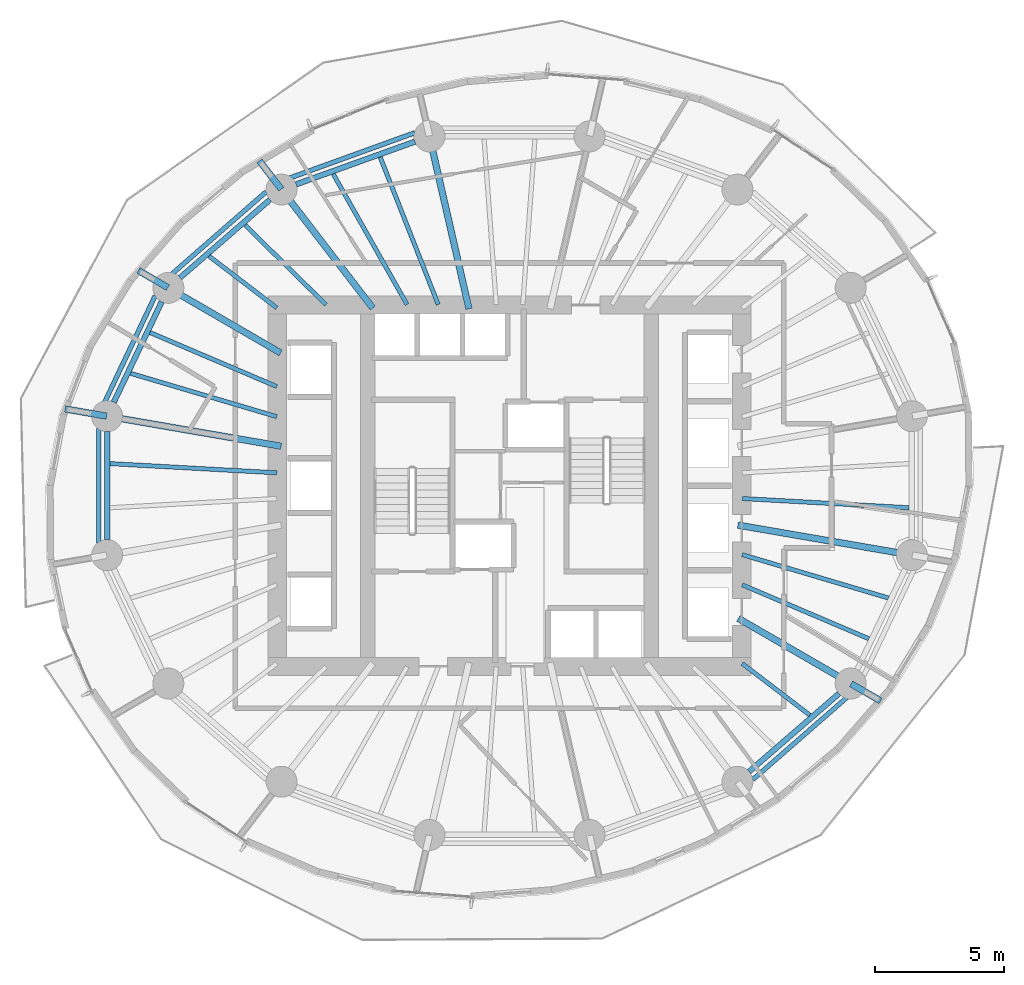
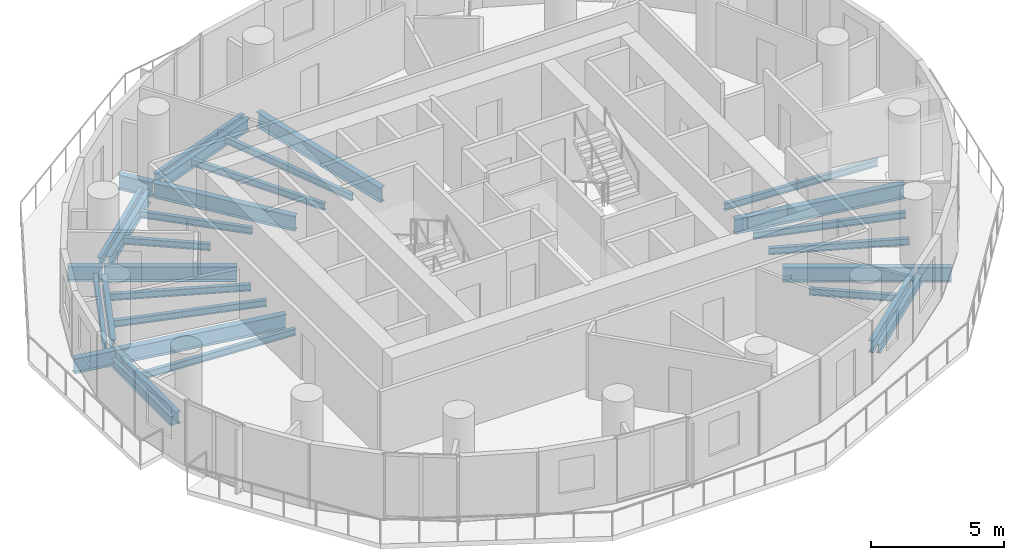
# One storey, part 3 of 14: 31 beams.
"""IFC4 building model written with IfcOpenShell, lengths in metres."""

from ifc_helpers import new_model, si_unit, direction, frame, origin, origin_2d, place, context, subcontext, project, spatial, i_section, extrude, material, material_profile, profile_set, type_object, element, save


model = new_model("IFC4")

# Units and contexts
model_context = context("Model", 3, precision=1e-05, world=origin(), true_north=direction((0.0, 1.0)))
body_context = subcontext(model_context, "Body", "Model", "MODEL_VIEW")
ifc_project = project(units=[si_unit("LENGTHUNIT", "METRE"), si_unit("AREAUNIT", "SQUARE_METRE"), si_unit("VOLUMEUNIT", "CUBIC_METRE"), si_unit("PLANEANGLEUNIT", "RADIAN"), si_unit("MASSUNIT", "GRAM", prefix="KILO")], contexts=[model_context])

# Site, building, storey
site_placement = place(None, origin())
site = spatial("IfcSite", under=ifc_project, at=site_placement, CompositionType="ELEMENT")
building_placement = place(site_placement, origin())
building = spatial("IfcBuilding", under=site, at=building_placement, Name="Veldorim Arch Residences", CompositionType="ELEMENT")
storey_placement = place(building_placement, frame((0.0, 0.0, 77.280029296875)))
storey = spatial("IfcBuildingStorey", under=building, at=storey_placement, Name="L22", CompositionType="ELEMENT", Elevation=77.280029296875)

# Beams
ifc_material_1 = material(Name="Steel S355", Category="steel")
ifc_material_profile_1 = material_profile(ifc_material_1, i_section(OverallWidth=0.2119140625, OverallDepth=0.54443359375, WebThickness=0.0126953125, FlangeThickness=0.021240234375, at=origin_2d()), Name="UB533x210x122")
ifc_profile_set_1 = profile_set([ifc_material_profile_1], Name="Steel S355")
beam_type_1 = type_object("IfcBeamType", Name="Structural Steel Beam UB533x210x122", PredefinedType="BEAM", material=ifc_profile_set_1)
beam_1_placement = place(storey_placement, frame((28.33349609375, 37.331787109375, -0.51220703125), z_axis=(-0.941041944493, -0.338289903343, 0.0), x_axis=(0.338289903343, -0.941041944493, 0.0)))
element("IfcBeam", 1, at=beam_1_placement, inside=storey, type_object=beam_type_1, Name="L22 perimeter ring tie beam 05", PredefinedType="BEAM", context=body_context, shape_type="SweptSolid", body=[
    extrude(i_section(OverallWidth=0.2119140625, OverallDepth=0.54443359375, WebThickness=0.0126953125, FlangeThickness=0.021240234375, at=origin_2d()), origin(), (0.0, 0.0, 1.0), 4.890869140625),
])
beam_2_placement = place(storey_placement, frame((22.71337890625, 35.0810546875, -0.51220703125), z_axis=(-0.755244952556, -0.655442645576, 0.0), x_axis=(0.655442645576, -0.755244952556, 0.0)))
element("IfcBeam", 2, at=beam_2_placement, inside=storey, type_object=beam_type_1, Name="L22 perimeter ring tie beam 06", PredefinedType="BEAM", context=body_context, shape_type="SweptSolid", body=[
    extrude(i_section(OverallWidth=0.2119140625, OverallDepth=0.54443359375, WebThickness=0.0126953125, FlangeThickness=0.021240234375, at=origin_2d()), origin(), (0.0, 0.0, 1.0), 4.608642578125),
])
beam_3_placement = place(storey_placement, frame((18.521240234375, 31.12548828125, -0.51220703125), z_axis=(-0.430720154476, -0.902485539235, 0.0), x_axis=(0.902485539235, -0.430720154476, 0.0)))
element("IfcBeam", 3, at=beam_3_placement, inside=storey, type_object=beam_type_1, Name="L22 perimeter ring tie beam 07", PredefinedType="BEAM", context=body_context, shape_type="SweptSolid", body=[
    extrude(i_section(OverallWidth=0.2119140625, OverallDepth=0.54443359375, WebThickness=0.0126953125, FlangeThickness=0.021240234375, at=origin_2d()), origin(), (0.0, 0.0, 1.0), 4.312255859375),
])
beam_4_placement = place(storey_placement, frame((16.405517578125, 26.09228515625, -0.51220703125), z_axis=(0.0, -1.0, 0.0), x_axis=(1.0, 0.0, 0.0)))
element("IfcBeam", 4, at=beam_4_placement, inside=storey, type_object=beam_type_1, Name="L22 perimeter ring tie beam 08", PredefinedType="BEAM", context=body_context, shape_type="SweptSolid", body=[
    extrude(i_section(OverallWidth=0.2119140625, OverallDepth=0.54443359375, WebThickness=0.0126953125, FlangeThickness=0.021240234375, at=origin_2d()), origin(), (0.0, 0.0, 1.0), 4.1845703125),
])
beam_5_placement = place(storey_placement, frame((41.28662109375, 12.9189453125, -0.51220703125), z_axis=(0.755244952556, 0.655442645576, 0.0), x_axis=(-0.655442645576, 0.755244952556, 0.0)))
element("IfcBeam", 5, at=beam_5_placement, inside=storey, type_object=beam_type_1, Name="L22 perimeter ring tie beam 14", PredefinedType="BEAM", context=body_context, shape_type="SweptSolid", body=[
    extrude(i_section(OverallWidth=0.2119140625, OverallDepth=0.54443359375, WebThickness=0.0126953125, FlangeThickness=0.021240234375, at=origin_2d()), origin(), (0.0, 0.0, 1.0), 4.608642578125),
])
ifc_material_2 = material(Name="Steel S355", Category="steel")
ifc_material_profile_2 = material_profile(ifc_material_2, i_section(OverallWidth=0.25439453125, OverallDepth=0.6875, WebThickness=0.01318359375, FlangeThickness=0.02099609375, at=origin_2d()), Name="UB686x254x152")
ifc_profile_set_2 = profile_set([ifc_material_profile_2], Name="Steel S355")
beam_type_2 = type_object("IfcBeamType", Name="Structural Steel GIRDER UB686x254x152", PredefinedType="USERDEFINED", material=ifc_profile_set_2)
beam_6_placement = place(storey_placement, frame((30.42919921875, 30.853759765625, -0.583740234375), z_axis=(-0.223374742148, 0.97473264261, 0.0), x_axis=(-0.97473264261, -0.223374742148, 0.0)))
element("IfcBeam", 6, at=beam_6_placement, inside=storey, type_object=beam_type_2, Name="L22 radial floor girder 05", ObjectType="GIRDER", PredefinedType="USERDEFINED", context=body_context, shape_type="SweptSolid", body=[
    extrude(i_section(OverallWidth=0.25439453125, OverallDepth=0.6875, WebThickness=0.01318359375, FlangeThickness=0.02099609375, at=origin_2d()), origin(), (0.0, 0.0, 1.0), 6.834228515625),
])
beam_7_placement = place(storey_placement, frame((26.702392578125, 30.881103515625, -0.583740234375), z_axis=(-0.609994628196, 0.792405548676, 0.0), x_axis=(-0.792405548676, -0.609994628196, 0.0)))
element("IfcBeam", 7, at=beam_7_placement, inside=storey, type_object=beam_type_2, Name="L22 radial floor girder 06", ObjectType="GIRDER", PredefinedType="USERDEFINED", context=body_context, shape_type="SweptSolid", body=[
    extrude(i_section(OverallWidth=0.25439453125, OverallDepth=0.6875, WebThickness=0.01318359375, FlangeThickness=0.02099609375, at=origin_2d()), origin(), (0.0, 0.0, 1.0), 5.776611328125),
])
beam_8_placement = place(storey_placement, frame((23.154296875, 35.489990234375, -0.583740234375), z_axis=(-0.609991800873, 0.792407725144, 0.0), x_axis=(-0.792407725144, -0.609991800873, 0.0)))
element("IfcBeam", 8, at=beam_8_placement, inside=storey, type_object=beam_type_2, Name="L22 radial edge cantilever girder 06", ObjectType="GIRDER", PredefinedType="USERDEFINED", context=body_context, shape_type="SweptSolid", body=[
    extrude(i_section(OverallWidth=0.25439453125, OverallDepth=0.6875, WebThickness=0.01318359375, FlangeThickness=0.02099609375, at=origin_2d()), origin(), (0.0, 0.0, 1.0), 1.38525390625),
])
beam_9_placement = place(storey_placement, frame((23.1298828125, 29.14404296875, -0.583740234375), z_axis=(-0.865048957682, 0.501687453314, 0.0), x_axis=(-0.501687453314, -0.865048957682, 0.0)))
element("IfcBeam", 9, at=beam_9_placement, inside=storey, type_object=beam_type_2, Name="L22 radial floor girder 07", ObjectType="GIRDER", PredefinedType="USERDEFINED", context=body_context, shape_type="SweptSolid", body=[
    extrude(i_section(OverallWidth=0.25439453125, OverallDepth=0.6875, WebThickness=0.01318359375, FlangeThickness=0.02099609375, at=origin_2d()), origin(), (0.0, 0.0, 1.0), 5.009033203125),
])
beam_10_placement = place(storey_placement, frame((18.76220703125, 31.677001953125, -0.583740234375), z_axis=(-0.865076091599, 0.501640663966, 0.0), x_axis=(-0.501640663966, -0.865076091599, 0.0)))
element("IfcBeam", 10, at=beam_10_placement, inside=storey, type_object=beam_type_2, Name="L22 radial edge cantilever girder 07", ObjectType="GIRDER", PredefinedType="USERDEFINED", context=body_context, shape_type="SweptSolid", body=[
    extrude(i_section(OverallWidth=0.25439453125, OverallDepth=0.6875, WebThickness=0.01318359375, FlangeThickness=0.02099609375, at=origin_2d()), origin(), (0.0, 0.0, 1.0), 1.3212890625),
])
beam_11_placement = place(storey_placement, frame((23.147705078125, 25.5283203125, -0.583740234375), z_axis=(-0.985426622718, 0.17010106184, 0.0), x_axis=(-0.17010106184, -0.985426622718, 0.0)))
element("IfcBeam", 11, at=beam_11_placement, inside=storey, type_object=beam_type_2, Name="L22 radial floor girder 08", ObjectType="GIRDER", PredefinedType="USERDEFINED", context=body_context, shape_type="SweptSolid", body=[
    extrude(i_section(OverallWidth=0.25439453125, OverallDepth=0.6875, WebThickness=0.01318359375, FlangeThickness=0.02099609375, at=origin_2d()), origin(), (0.0, 0.0, 1.0), 6.82177734375),
])
beam_12_placement = place(storey_placement, frame((16.3857421875, 26.695556640625, -0.583740234375), z_axis=(-0.985419516266, 0.170142225688, 0.0), x_axis=(-0.170142225688, -0.985419516266, 0.0)))
element("IfcBeam", 12, at=beam_12_placement, inside=storey, type_object=beam_type_2, Name="L22 radial edge cantilever girder 08", ObjectType="GIRDER", PredefinedType="USERDEFINED", context=body_context, shape_type="SweptSolid", body=[
    extrude(i_section(OverallWidth=0.25439453125, OverallDepth=0.6875, WebThickness=0.01318359375, FlangeThickness=0.02099609375, at=origin_2d()), origin(), (0.0, 0.0, 1.0), 1.633056640625),
])
beam_13_placement = place(storey_placement, frame((40.8701171875, 18.85595703125, -0.583740234375), z_axis=(0.865048957682, -0.501687453314, 0.0), x_axis=(0.501687453314, 0.865048957682, 0.0)))
element("IfcBeam", 13, at=beam_13_placement, inside=storey, type_object=beam_type_2, Name="L22 radial floor girder 15", ObjectType="GIRDER", PredefinedType="USERDEFINED", context=body_context, shape_type="SweptSolid", body=[
    extrude(i_section(OverallWidth=0.25439453125, OverallDepth=0.6875, WebThickness=0.01318359375, FlangeThickness=0.02099609375, at=origin_2d()), origin(), (0.0, 0.0, 1.0), 5.009033203125),
])
beam_14_placement = place(storey_placement, frame((45.23779296875, 16.322998046875, -0.583740234375), z_axis=(0.865076091599, -0.501640663966, 0.0), x_axis=(0.501640663966, 0.865076091599, 0.0)))
element("IfcBeam", 14, at=beam_14_placement, inside=storey, type_object=beam_type_2, Name="L22 radial edge cantilever girder 15", ObjectType="GIRDER", PredefinedType="USERDEFINED", context=body_context, shape_type="SweptSolid", body=[
    extrude(i_section(OverallWidth=0.25439453125, OverallDepth=0.6875, WebThickness=0.01318359375, FlangeThickness=0.02099609375, at=origin_2d()), origin(), (0.0, 0.0, 1.0), 1.3212890625),
])
beam_15_placement = place(storey_placement, frame((40.852294921875, 22.4716796875, -0.583740234375), z_axis=(0.985426622718, -0.17010106184, 0.0), x_axis=(0.17010106184, 0.985426622718, 0.0)))
element("IfcBeam", 15, at=beam_15_placement, inside=storey, type_object=beam_type_2, Name="L22 radial floor girder 16", ObjectType="GIRDER", PredefinedType="USERDEFINED", context=body_context, shape_type="SweptSolid", body=[
    extrude(i_section(OverallWidth=0.25439453125, OverallDepth=0.6875, WebThickness=0.01318359375, FlangeThickness=0.02099609375, at=origin_2d()), origin(), (0.0, 0.0, 1.0), 6.82177734375),
])
ifc_material_3 = material(Name="Steel S355", Category="steel")
ifc_material_profile_3 = material_profile(ifc_material_3, i_section(OverallWidth=0.165771484375, OverallDepth=0.306640625, WebThickness=0.006591796875, FlangeThickness=0.01171875, at=origin_2d()), Name="UB305x165x46")
ifc_profile_set_3 = profile_set([ifc_material_profile_3], Name="Steel S355")
beam_type_3 = type_object("IfcBeamType", Name="Structural Steel Joist UB305x165x46", PredefinedType="JOIST", material=ifc_profile_set_3)
beam_16_placement = place(storey_placement, frame((29.238037109375, 31.0185546875, -0.393310546875), z_axis=(-0.366194870364, 0.930538186707, 0.0), x_axis=(-0.930538186707, -0.366194870364, 0.0)))
element("IfcBeam", 16, at=beam_16_placement, inside=storey, type_object=beam_type_3, Name="L22 secondary radial floor joist 05-1", PredefinedType="JOIST", context=body_context, shape_type="SweptSolid", body=[
    extrude(i_section(OverallWidth=0.165771484375, OverallDepth=0.306640625, WebThickness=0.006591796875, FlangeThickness=0.01171875, at=origin_2d()), origin(), (0.0, 0.0, 1.0), 6.1396484375),
])
beam_17_placement = place(storey_placement, frame((28.03173828125, 31.017333984375, -0.393310546875), z_axis=(-0.492227411199, 0.870466642476, 0.0), x_axis=(-0.870466642476, -0.492227411199, 0.0)))
element("IfcBeam", 17, at=beam_17_placement, inside=storey, type_object=beam_type_3, Name="L22 secondary radial floor joist 05-2", PredefinedType="JOIST", context=body_context, shape_type="SweptSolid", body=[
    extrude(i_section(OverallWidth=0.165771484375, OverallDepth=0.306640625, WebThickness=0.006591796875, FlangeThickness=0.01171875, at=origin_2d()), origin(), (0.0, 0.0, 1.0), 5.81494140625),
])
beam_18_placement = place(storey_placement, frame((24.885986328125, 31.013916015625, -0.393310546875), z_axis=(-0.712111629941, 0.702066255066, 0.0), x_axis=(-0.702066255066, -0.712111629941, 0.0)))
element("IfcBeam", 18, at=beam_18_placement, inside=storey, type_object=beam_type_3, Name="L22 secondary radial floor joist 06-1", PredefinedType="JOIST", context=body_context, shape_type="SweptSolid", body=[
    extrude(i_section(OverallWidth=0.165771484375, OverallDepth=0.306640625, WebThickness=0.006591796875, FlangeThickness=0.01171875, at=origin_2d()), origin(), (0.0, 0.0, 1.0), 4.39892578125),
])
beam_19_placement = place(storey_placement, frame((22.984130859375, 30.888427734375, -0.393310546875), z_axis=(-0.794594763594, 0.60714014994, 0.0), x_axis=(-0.60714014994, -0.794594763594, 0.0)))
element("IfcBeam", 19, at=beam_19_placement, inside=storey, type_object=beam_type_3, Name="L22 secondary radial floor joist 06-2", PredefinedType="JOIST", context=body_context, shape_type="SweptSolid", body=[
    extrude(i_section(OverallWidth=0.165771484375, OverallDepth=0.306640625, WebThickness=0.006591796875, FlangeThickness=0.01171875, at=origin_2d()), origin(), (0.0, 0.0, 1.0), 3.30419921875),
])
beam_20_placement = place(storey_placement, frame((22.981689453125, 27.841552734375, -0.393310546875), z_axis=(-0.919997395122, 0.391924473552, 0.0), x_axis=(-0.391924473552, -0.919997395122, 0.0)))
element("IfcBeam", 20, at=beam_20_placement, inside=storey, type_object=beam_type_3, Name="L22 secondary radial floor joist 07-1", PredefinedType="JOIST", context=body_context, shape_type="SweptSolid", body=[
    extrude(i_section(OverallWidth=0.165771484375, OverallDepth=0.306640625, WebThickness=0.006591796875, FlangeThickness=0.01171875, at=origin_2d()), origin(), (0.0, 0.0, 1.0), 5.334716796875),
])
beam_21_placement = place(storey_placement, frame((22.980712890625, 26.673583984375, -0.393310546875), z_axis=(-0.958753061488, 0.284240333324, 0.0), x_axis=(-0.284240333324, -0.958753061488, 0.0)))
element("IfcBeam", 21, at=beam_21_placement, inside=storey, type_object=beam_type_3, Name="L22 secondary radial floor joist 07-2", PredefinedType="JOIST", context=body_context, shape_type="SweptSolid", body=[
    extrude(i_section(OverallWidth=0.165771484375, OverallDepth=0.306640625, WebThickness=0.006591796875, FlangeThickness=0.01171875, at=origin_2d()), origin(), (0.0, 0.0, 1.0), 5.906005859375),
])
beam_22_placement = place(storey_placement, frame((22.97998046875, 24.498291015625, -0.393310546875), z_axis=(-0.99847713097, 0.055167190702, 0.0), x_axis=(-0.055167190702, -0.99847713097, 0.0)))
element("IfcBeam", 22, at=beam_22_placement, inside=storey, type_object=beam_type_3, Name="L22 secondary radial floor joist 08-1", PredefinedType="JOIST", context=body_context, shape_type="SweptSolid", body=[
    extrude(i_section(OverallWidth=0.165771484375, OverallDepth=0.306640625, WebThickness=0.006591796875, FlangeThickness=0.01171875, at=origin_2d()), origin(), (0.0, 0.0, 1.0), 6.474365234375),
])
beam_23_placement = place(storey_placement, frame((41.015869140625, 17.111572265625, -0.393310546875), z_axis=(0.794594763594, -0.60714014994, 0.0), x_axis=(0.60714014994, 0.794594763594, 0.0)))
element("IfcBeam", 23, at=beam_23_placement, inside=storey, type_object=beam_type_3, Name="L22 secondary radial floor joist 14-2", PredefinedType="JOIST", context=body_context, shape_type="SweptSolid", body=[
    extrude(i_section(OverallWidth=0.165771484375, OverallDepth=0.306640625, WebThickness=0.006591796875, FlangeThickness=0.01171875, at=origin_2d()), origin(), (0.0, 0.0, 1.0), 3.30419921875),
])
beam_24_placement = place(storey_placement, frame((41.018310546875, 20.158447265625, -0.393310546875), z_axis=(0.919997395122, -0.391924473552, 0.0), x_axis=(0.391924473552, 0.919997395122, 0.0)))
element("IfcBeam", 24, at=beam_24_placement, inside=storey, type_object=beam_type_3, Name="L22 secondary radial floor joist 15-1", PredefinedType="JOIST", context=body_context, shape_type="SweptSolid", body=[
    extrude(i_section(OverallWidth=0.165771484375, OverallDepth=0.306640625, WebThickness=0.006591796875, FlangeThickness=0.01171875, at=origin_2d()), origin(), (0.0, 0.0, 1.0), 5.334716796875),
])
beam_25_placement = place(storey_placement, frame((41.019287109375, 21.326416015625, -0.393310546875), z_axis=(0.958753061488, -0.284240333324, 0.0), x_axis=(0.284240333324, 0.958753061488, 0.0)))
element("IfcBeam", 25, at=beam_25_placement, inside=storey, type_object=beam_type_3, Name="L22 secondary radial floor joist 15-2", PredefinedType="JOIST", context=body_context, shape_type="SweptSolid", body=[
    extrude(i_section(OverallWidth=0.165771484375, OverallDepth=0.306640625, WebThickness=0.006591796875, FlangeThickness=0.01171875, at=origin_2d()), origin(), (0.0, 0.0, 1.0), 5.906005859375),
])
beam_26_placement = place(storey_placement, frame((41.02001953125, 23.501708984375, -0.393310546875), z_axis=(0.99847713097, -0.055167190702, 0.0), x_axis=(0.055167190702, 0.99847713097, 0.0)))
element("IfcBeam", 26, at=beam_26_placement, inside=storey, type_object=beam_type_3, Name="L22 secondary radial floor joist 16-1", PredefinedType="JOIST", context=body_context, shape_type="SweptSolid", body=[
    extrude(i_section(OverallWidth=0.165771484375, OverallDepth=0.306640625, WebThickness=0.006591796875, FlangeThickness=0.01171875, at=origin_2d()), origin(), (0.0, 0.0, 1.0), 6.474365234375),
])
ifc_material_4 = material(Name="Steel S355", Category="steel")
ifc_material_profile_4 = material_profile(ifc_material_4, i_section(OverallWidth=0.1787109375, OverallDepth=0.409423828125, WebThickness=0.0087890625, FlangeThickness=0.014404296875, at=origin_2d()), Name="UB406x178x67")
ifc_profile_set_4 = profile_set([ifc_material_profile_4], Name="Steel S355")
beam_type_4 = type_object("IfcBeamType", Name="Structural Steel Spandrel UB406x178x67", PredefinedType="SPANDREL", material=ifc_profile_set_4)
beam_27_placement = place(storey_placement, frame((28.327880859375, 37.6767578125, -0.46484375), z_axis=(-0.940307501418, -0.340326024244, 0.0), x_axis=(0.340326024244, -0.940307501418, 0.0)))
element("IfcBeam", 27, at=beam_27_placement, inside=storey, type_object=beam_type_4, Name="L22 perimeter chord spandrel beam 05", PredefinedType="SPANDREL", context=body_context, shape_type="SweptSolid", body=[
    extrude(i_section(OverallWidth=0.1787109375, OverallDepth=0.409423828125, WebThickness=0.0087890625, FlangeThickness=0.014404296875, at=origin_2d()), origin(), (0.0, 0.0, 1.0), 5.175048828125),
])
beam_28_placement = place(storey_placement, frame((22.5673828125, 35.388427734375, -0.46484375), z_axis=(-0.753323239074, -0.65765043714, 0.0), x_axis=(0.65765043714, -0.753323239074, 0.0)))
element("IfcBeam", 28, at=beam_28_placement, inside=storey, type_object=beam_type_4, Name="L22 perimeter chord spandrel beam 06", PredefinedType="SPANDREL", context=body_context, shape_type="SweptSolid", body=[
    extrude(i_section(OverallWidth=0.1787109375, OverallDepth=0.409423828125, WebThickness=0.0087890625, FlangeThickness=0.014404296875, at=origin_2d()), origin(), (0.0, 0.0, 1.0), 4.879150390625),
])
beam_29_placement = place(storey_placement, frame((18.267578125, 31.35546875, -0.46484375), z_axis=(-0.428857472204, -0.903372165021, 0.0), x_axis=(0.903372165021, -0.428857472204, 0.0)))
element("IfcBeam", 29, at=beam_29_placement, inside=storey, type_object=beam_type_4, Name="L22 perimeter chord spandrel beam 07", PredefinedType="SPANDREL", context=body_context, shape_type="SweptSolid", body=[
    extrude(i_section(OverallWidth=0.1787109375, OverallDepth=0.409423828125, WebThickness=0.0087890625, FlangeThickness=0.014404296875, at=origin_2d()), origin(), (0.0, 0.0, 1.0), 4.572021484375),
])
beam_30_placement = place(storey_placement, frame((16.080322265625, 26.22021484375, -0.46484375), z_axis=(0.0, -1.0, 0.0), x_axis=(1.0, 0.0, 0.0)))
element("IfcBeam", 30, at=beam_30_placement, inside=storey, type_object=beam_type_4, Name="L22 perimeter chord spandrel beam 08", PredefinedType="SPANDREL", context=body_context, shape_type="SweptSolid", body=[
    extrude(i_section(OverallWidth=0.1787109375, OverallDepth=0.409423828125, WebThickness=0.0087890625, FlangeThickness=0.014404296875, at=origin_2d()), origin(), (0.0, 0.0, 1.0), 4.4404296875),
])
beam_31_placement = place(storey_placement, frame((41.4326171875, 12.611572265625, -0.46484375), z_axis=(0.753323239074, 0.65765043714, 0.0), x_axis=(-0.65765043714, 0.753323239074, 0.0)))
element("IfcBeam", 31, at=beam_31_placement, inside=storey, type_object=beam_type_4, Name="L22 perimeter chord spandrel beam 14", PredefinedType="SPANDREL", context=body_context, shape_type="SweptSolid", body=[
    extrude(i_section(OverallWidth=0.1787109375, OverallDepth=0.409423828125, WebThickness=0.0087890625, FlangeThickness=0.014404296875, at=origin_2d()), origin(), (0.0, 0.0, 1.0), 4.879150390625),
])

save(model, "model.ifc")
